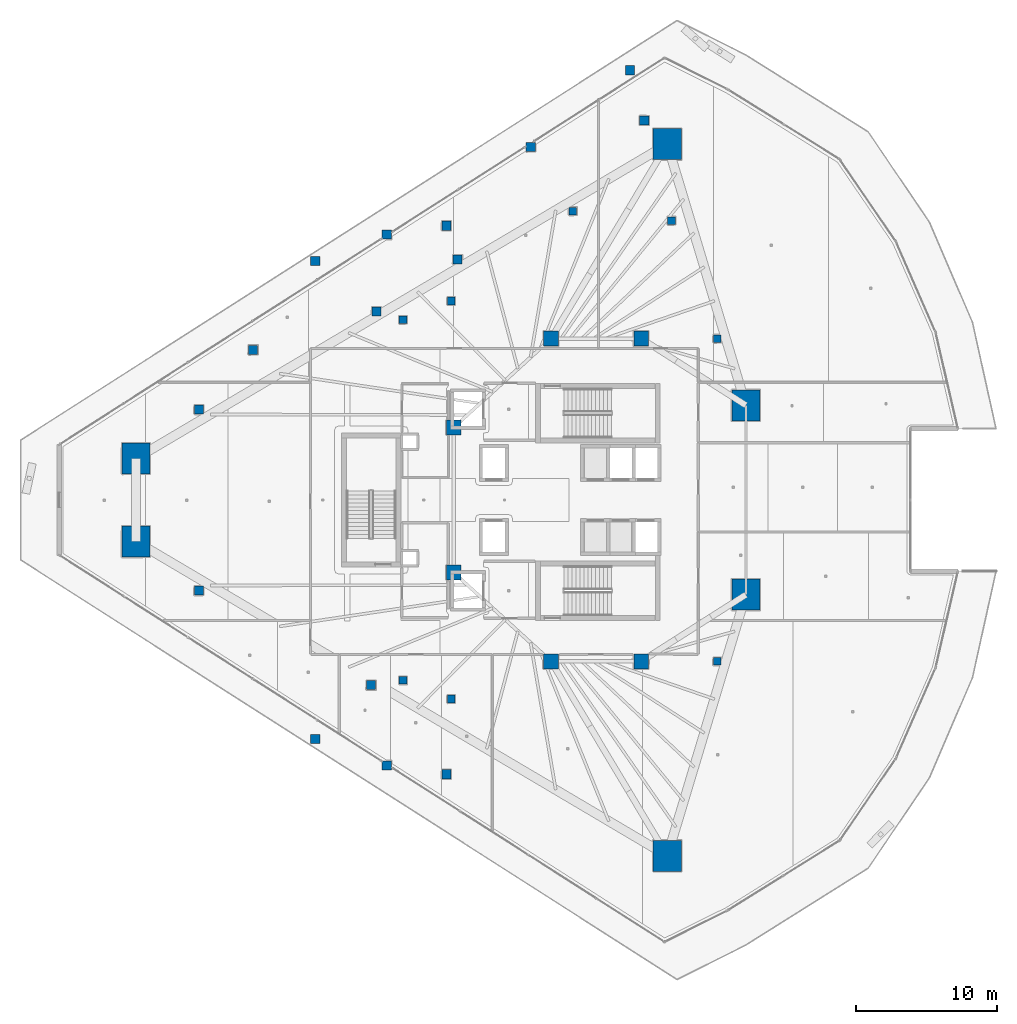
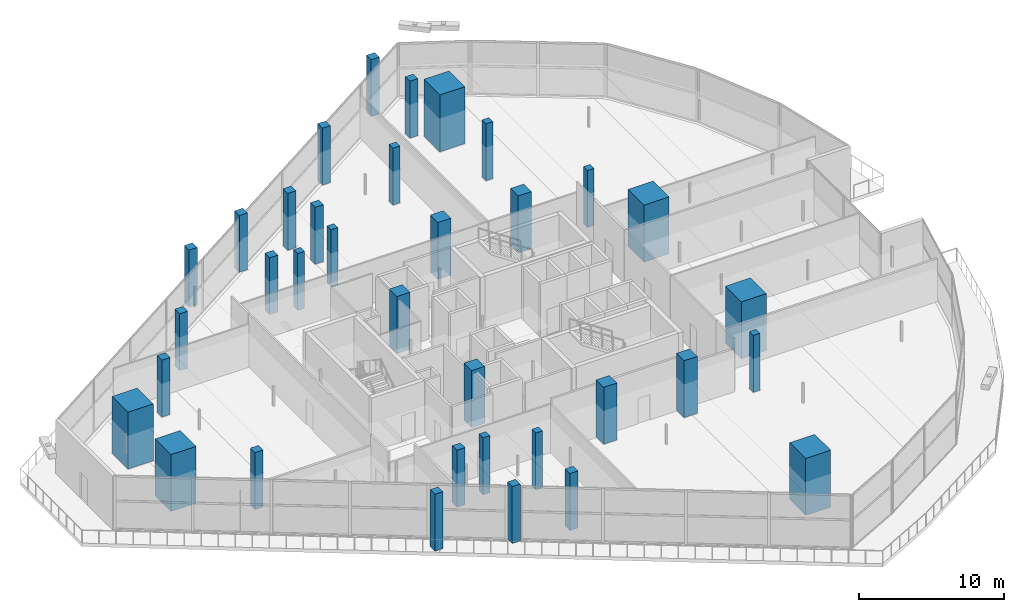
# One storey, part 1 of 42: 35 columns.
"""IFC4 building model written with IfcOpenShell, lengths in metres."""

from ifc_helpers import new_model, si_unit, direction, frame, origin, origin_2d, place, context, subcontext, project, spatial, rectangle, extrude, material, material_profile, profile_set, type_object, element, save


model = new_model("IFC4")

# Units and contexts
model_context = context("Model", 3, precision=1e-05, world=origin(), true_north=direction((0.0, 1.0)))
body_context = subcontext(model_context, "Body", "Model", "MODEL_VIEW")
ifc_project = project(units=[si_unit("LENGTHUNIT", "METRE"), si_unit("AREAUNIT", "SQUARE_METRE"), si_unit("VOLUMEUNIT", "CUBIC_METRE"), si_unit("PLANEANGLEUNIT", "RADIAN"), si_unit("MASSUNIT", "GRAM", prefix="KILO")], contexts=[model_context])

# Site, building, storey
site_placement = place(None, origin())
site = spatial("IfcSite", under=ifc_project, at=site_placement, CompositionType="ELEMENT")
building_placement = place(site_placement, origin())
building = spatial("IfcBuilding", under=site, at=building_placement, Name="Qorvath Tower", CompositionType="ELEMENT")
storey_placement = place(building_placement, frame((0.0, 0.0, 105.0)))
storey = spatial("IfcBuildingStorey", under=building, at=storey_placement, Name="L23", CompositionType="ELEMENT", Elevation=105.0)

# Columns
ifc_material_1 = material(Name="Concrete C70/85", Category="concrete")
ifc_material_profile_1 = material_profile(ifc_material_1, rectangle(XDim=2.0, YDim=2.199951171875, at=origin_2d()), Name="MC 2200x2000")
ifc_profile_set_1 = profile_set([ifc_material_profile_1], Name="Concrete C70/85")
column_type_1 = type_object("IfcColumnType", Name="COL-MC2", PredefinedType="COLUMN", material=ifc_profile_set_1)
for number, where, z_axis, x_axis, name in (
    (1, (-53.04931640625, 2.95068359375, 0.0), (0.0, 0.0, 1.0), (1.0, 0.0, 0.0), "Composite Mega-Column MC1 L23"),
    (2, (-53.04931640625, -2.95068359375, 0.0), (0.0, 0.0, 1.0), (1.0, 0.0, 0.0), "Composite Mega-Column MC2 L23"),
    (3, (-15.34423828125, -25.24609375, 0.0), (0.0, 0.0, 1.0), (1.0, 0.0, 0.0), "Composite Mega-Column MC3 L23"),
    (4, (-9.770263671875, -6.721435546875, 0.0), (0.0, 0.0, 1.0), (1.0, 0.0, 0.0), "Composite Mega-Column MC4 L23"),
    (5, (-9.770263671875, 6.721435546875, 0.0), (0.0, 0.0, 1.0), (1.0, 0.0, 0.0), "Composite Mega-Column MC5 L23"),
    (6, (-15.34423828125, 25.24609375, 0.0), (0.0, 0.0, 1.0), (1.0, 0.0, 0.0), "Composite Mega-Column MC6 L23"),
):
    element("IfcColumn", number, at=place(storey_placement, frame(where, z_axis=z_axis, x_axis=x_axis)), inside=storey, type_object=column_type_1, Name=name, PredefinedType="COLUMN", context=body_context, shape_type="SweptSolid", body=[
        extrude(rectangle(XDim=2.0, YDim=2.199951171875, at=origin_2d()), origin(), (0.0, 0.0, 1.0), 4.800048828125),
    ])
ifc_material_2 = material(Name="Concrete C60/75", Category="concrete")
ifc_material_profile_2 = material_profile(ifc_material_2, rectangle(XDim=1.050048828125, YDim=1.050048828125, at=origin_2d()), Name="RC 1050x1050")
ifc_profile_set_2 = profile_set([ifc_material_profile_2], Name="Concrete C60/75")
column_type_2 = type_object("IfcColumnType", Name="COL-RC2", PredefinedType="COLUMN", material=ifc_profile_set_2)
for number, where, z_axis, x_axis, name in (
    (7, (-23.60009765625, 11.449951171875, 0.0), (0.0, 0.0, 1.0), (1.0, 0.0, 0.0), "Core Spine Column CC1 L23"),
    (8, (-17.199951171875, 11.449951171875, 0.0), (0.0, 0.0, 1.0), (1.0, 0.0, 0.0), "Core Spine Column CC2 L23"),
    (9, (-17.199951171875, -11.449951171875, 0.0), (0.0, 0.0, 1.0), (1.0, 0.0, 0.0), "Core Spine Column CC3 L23"),
    (10, (-23.60009765625, -11.449951171875, 0.0), (0.0, 0.0, 1.0), (1.0, 0.0, 0.0), "Core Spine Column CC4 L23"),
    (11, (-30.5, 5.14990234375, 0.0), (0.0, 0.0, 1.0), (1.0, 0.0, 0.0), "Core Spine Column CC5 L23"),
    (12, (-30.5, -5.14990234375, 0.0), (0.0, 0.0, 1.0), (1.0, 0.0, 0.0), "Core Spine Column CC6 L23"),
):
    element("IfcColumn", number, at=place(storey_placement, frame(where, z_axis=z_axis, x_axis=x_axis)), inside=storey, type_object=column_type_2, Name=name, PredefinedType="COLUMN", context=body_context, shape_type="SweptSolid", body=[
        extrude(rectangle(XDim=1.050048828125, YDim=1.050048828125, at=origin_2d()), origin(), (0.0, 0.0, 1.0), 4.800048828125),
    ])
ifc_material_3 = material(Name="Concrete C45/55", Category="concrete")
ifc_material_profile_3 = material_profile(ifc_material_3, rectangle(XDim=0.64990234375, YDim=0.64990234375, at=origin_2d()), Name="RC 650x650")
ifc_profile_set_3 = profile_set([ifc_material_profile_3], Name="Concrete C45/55")
column_type_3 = type_object("IfcColumnType", Name="COL-RC6", PredefinedType="COLUMN", material=ifc_profile_set_3)
for number, where, z_axis, x_axis, name in (
    (13, (-40.33251953125, 16.955810546875, 0.0), (0.0, 0.0, 1.0), (1.0, 0.0, 0.0), "Loggia Frame Pier Column LGB1 L23"),
    (14, (-40.33251953125, -16.955810546875, 0.0), (0.0, 0.0, 1.0), (1.0, 0.0, 0.0), "Loggia Frame Pier Column LGB2 L23"),
    (15, (-18.0, 30.5, 0.0), (0.0, 0.0, 1.0), (1.0, 0.0, 0.0), "Loggia Frame Pier Column LGB3 L23"),
    (16, (-35.251708984375, 18.829345703125, 0.0), (0.0, 0.0, 1.0), (1.0, 0.0, 0.0), "Loggia Frame Pier Column LGC1 L23"),
    (17, (-35.251708984375, -18.829345703125, 0.0), (0.0, 0.0, 1.0), (1.0, 0.0, 0.0), "Loggia Frame Pier Column LGC2 L23"),
    (18, (-25.03759765625, 25.058837890625, 0.0), (0.0, 0.0, 1.0), (1.0, 0.0, 0.0), "Loggia Frame Pier Column LGC3 L23"),
    (19, (-31.01611328125, 19.46044921875, 0.0), (0.0, 0.0, 1.0), (1.0, 0.0, 0.0), "Loggia Frame Pier Column LGD1 L23"),
    (20, (-31.01611328125, -19.46044921875, 0.0), (0.0, 0.0, 1.0), (1.0, 0.0, 0.0), "Loggia Frame Pier Column LGD2 L23"),
    (21, (-44.736328125, 10.65234375, 0.0), (0.0, 0.0, 1.0), (1.0, 0.0, 0.0), "Loggia Frame Pier Column LGD3 L23"),
    (22, (-48.578369140625, 6.424560546875, 0.0), (0.0, 0.0, 1.0), (1.0, 0.0, 0.0), "Loggia Frame Pier Column LGE1 L23"),
    (23, (-48.578369140625, -6.424560546875, 0.0), (0.0, 0.0, 1.0), (1.0, 0.0, 0.0), "Loggia Frame Pier Column LGE2 L23"),
    (24, (-16.981201171875, 26.92919921875, 0.0), (0.0, 0.0, 1.0), (1.0, 0.0, 0.0), "Loggia Frame Pier Column LGE3 L23"),
    (25, (-35.980712890625, 13.380859375, 0.0), (0.0, 0.0, 1.0), (1.0, 0.0, 0.0), "Loggia Frame Pier Column LGF1 L23"),
    (26, (-36.36474609375, -13.135498046875, 0.0), (0.0, 0.0, 1.0), (1.0, 0.0, 0.0), "Loggia Frame Pier Column LGF2 L23"),
    (27, (-30.224853515625, 17.0595703125, 0.0), (0.0, 0.0, 1.0), (1.0, 0.0, 0.0), "Loggia Frame Pier Column LGF3 L23"),
):
    element("IfcColumn", number, at=place(storey_placement, frame(where, z_axis=z_axis, x_axis=x_axis)), inside=storey, type_object=column_type_3, Name=name, PredefinedType="COLUMN", context=body_context, shape_type="SweptSolid", body=[
        extrude(rectangle(XDim=0.64990234375, YDim=0.64990234375, at=origin_2d()), origin(), (0.0, 0.0, 1.0), 4.800048828125),
    ])
ifc_material_4 = material(Name="Concrete C45/55", Category="concrete")
ifc_material_profile_4 = material_profile(ifc_material_4, rectangle(XDim=0.550048828125, YDim=0.550048828125, at=origin_2d()), Name="RC 550x550")
ifc_profile_set_4 = profile_set([ifc_material_profile_4], Name="Concrete C45/55")
column_type_4 = type_object("IfcColumnType", Name="COL-RC7", PredefinedType="COLUMN", material=ifc_profile_set_4)
for number, where, z_axis, x_axis, name in (
    (28, (-34.104248046875, 12.79248046875, 0.0), (0.0, 0.0, 1.0), (1.0, 0.0, 0.0), "Loggia Frame Pier Column LGG1 L23"),
    (29, (-34.104248046875, -12.79248046875, 0.0), (0.0, 0.0, 1.0), (1.0, 0.0, 0.0), "Loggia Frame Pier Column LGG2 L23"),
    (30, (-22.05322265625, 20.494873046875, 0.0), (0.0, 0.0, 1.0), (1.0, 0.0, 0.0), "Loggia Frame Pier Column LGG3 L23"),
    (31, (-30.67724609375, 14.124267578125, 0.0), (0.0, 0.0, 1.0), (1.0, 0.0, 0.0), "Loggia Frame Pier Column LGH1 L23"),
    (32, (-30.67724609375, -14.124267578125, 0.0), (0.0, 0.0, 1.0), (1.0, 0.0, 0.0), "Loggia Frame Pier Column LGH2 L23"),
    (33, (-15.046142578125, 19.818115234375, 0.0), (0.0, 0.0, 1.0), (1.0, 0.0, 0.0), "Loggia Frame Pier Column LGH3 L23"),
    (34, (-11.800048828125, -11.449951171875, 0.0), (0.0, 0.0, 1.0), (1.0, 0.0, 0.0), "Central Slot Jamb Column SC1 L23"),
    (35, (-11.800048828125, 11.449951171875, 0.0), (0.0, 0.0, 1.0), (1.0, 0.0, 0.0), "Central Slot Jamb Column SC2 L23"),
):
    element("IfcColumn", number, at=place(storey_placement, frame(where, z_axis=z_axis, x_axis=x_axis)), inside=storey, type_object=column_type_4, Name=name, PredefinedType="COLUMN", context=body_context, shape_type="SweptSolid", body=[
        extrude(rectangle(XDim=0.550048828125, YDim=0.550048828125, at=origin_2d()), origin(), (0.0, 0.0, 1.0), 4.800048828125),
    ])

save(model, "model.ifc")
